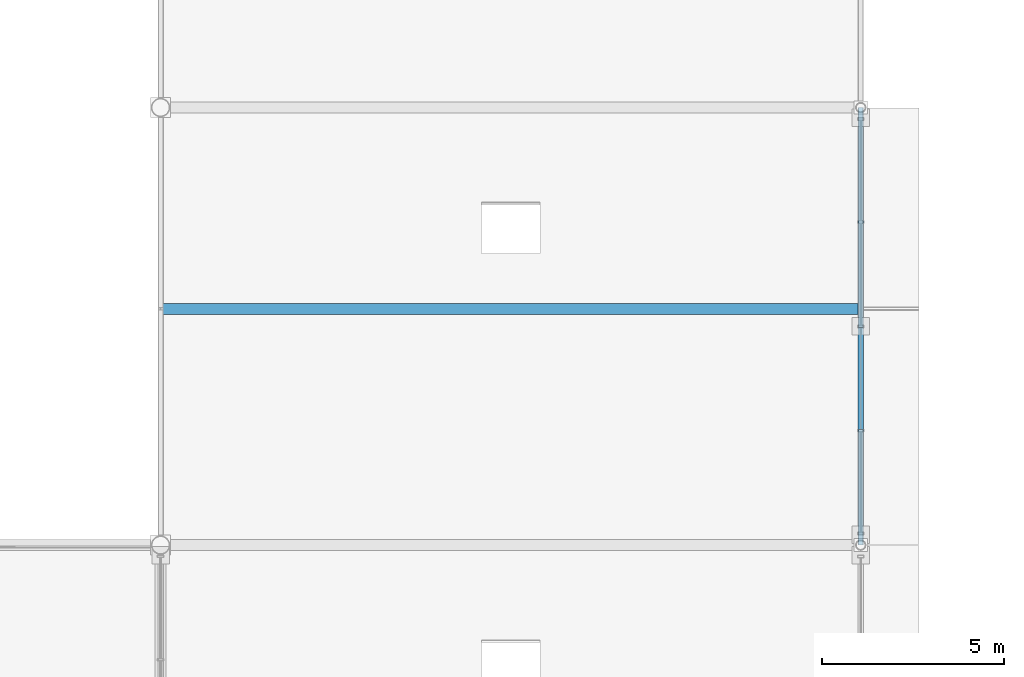
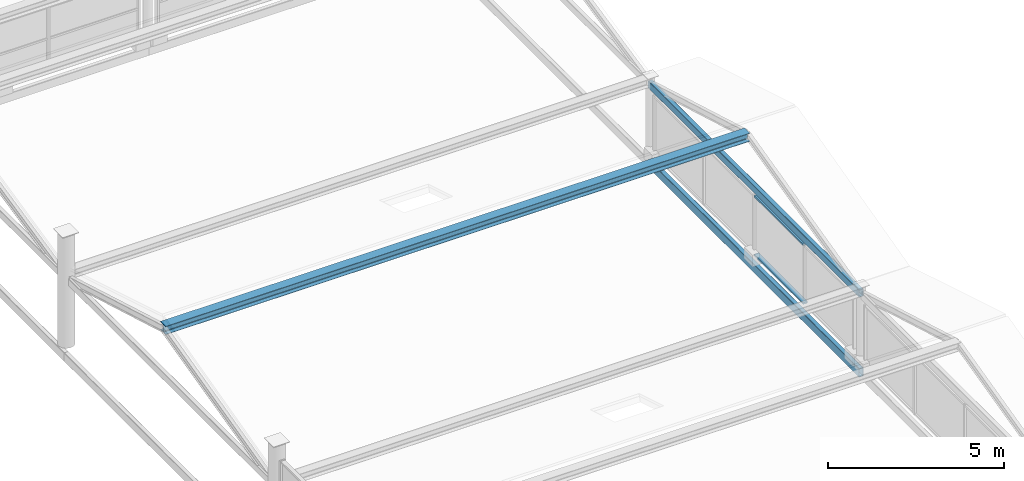
# One storey, part 68 of 117: 3 beams, 2 members, 1 element without a shape of its own.
"""IFC4 building model written with IfcOpenShell, lengths in metres."""

from ifc_helpers import new_model, si_unit, direction, frame, origin, origin_2d, place, context, subcontext, project, spatial, hollow_rectangle, i_section, extrude, material, material_profile, profile_set, type_object, element, aggregate, save


model = new_model("IFC4")

# Units and contexts
model_context = context("Model", 3, precision=1e-05, world=origin(), true_north=direction((0.0, 1.0)))
body_context = subcontext(model_context, "Body", "Model", "MODEL_VIEW")
ifc_project = project(units=[si_unit("LENGTHUNIT", "METRE"), si_unit("AREAUNIT", "SQUARE_METRE"), si_unit("VOLUMEUNIT", "CUBIC_METRE"), si_unit("PLANEANGLEUNIT", "RADIAN"), si_unit("MASSUNIT", "GRAM", prefix="KILO")], contexts=[model_context])

# Site, building, storey
site_placement = place(None, origin())
site = spatial("IfcSite", under=ifc_project, at=site_placement, CompositionType="ELEMENT")
building_placement = place(site_placement, origin())
building = spatial("IfcBuilding", under=site, at=building_placement, Name="Merenkruunu Market Hall", CompositionType="ELEMENT")
storey_placement = place(building_placement, frame((0.0, 0.0, 10.199951171875)))
storey = spatial("IfcBuildingStorey", under=building, at=storey_placement, Name="L02", CompositionType="ELEMENT", Elevation=10.199951171875)

# Curtain wall, members
ifc_material_1 = material(Name="Powder-coated aluminium", Category="aluminium")
curtain_wall_type = type_object("IfcCurtainWallType", Name="Clerestory Curtain Band CL02", PredefinedType="USERDEFINED", material=ifc_material_1)
curtain_wall_placement = place(storey_placement, origin())
curtain_wall = element("IfcCurtainWall", 1, at=curtain_wall_placement, inside=storey, type_object=curtain_wall_type, Name="CW-L02-CWM04-167", ObjectType="CLERESTORY_BAND", PredefinedType="USERDEFINED")
ifc_material_profile_1 = material_profile(ifc_material_1, hollow_rectangle(XDim=0.06005859375, YDim=0.14990234375, WallThickness=0.00390625, at=origin_2d()), Name="ALU 60x150x4")
ifc_profile_set_1 = profile_set([ifc_material_profile_1], Name="Powder-coated aluminium")
member_type = type_object("IfcMemberType", Name="Curtain Wall Transom CWT04", PredefinedType="USERDEFINED", material=ifc_profile_set_1)
member_1_placement = place(storey_placement, frame((76.800048828125, 81.56494140625, 0.030029296875), z_axis=(0.0, -1.0, 0.0), x_axis=(0.0, 0.0, 1.0)))
member_1 = element("IfcMember", 2, at=member_1_placement, type_object=member_type, Name="CL02 transom 3.1", ObjectType="TRANSOM", PredefinedType="USERDEFINED", context=body_context, shape_type="SweptSolid", body=[
    extrude(hollow_rectangle(XDim=0.06005859375, YDim=0.14990234375, WallThickness=0.00390625, at=origin_2d()), origin(), (0.0, 0.0, 1.0), 2.7900390625),
])
member_2_placement = place(storey_placement, frame((76.800048828125, 81.56494140625, 2.070068359375), z_axis=(0.0, -1.0, 0.0), x_axis=(0.0, 0.0, 1.0)))
member_2 = element("IfcMember", 3, at=member_2_placement, type_object=member_type, Name="CL02 transom 3.2", ObjectType="TRANSOM", PredefinedType="USERDEFINED", context=body_context, shape_type="SweptSolid", body=[
    extrude(hollow_rectangle(XDim=0.06005859375, YDim=0.14990234375, WallThickness=0.00390625, at=origin_2d()), origin(), (0.0, 0.0, 1.0), 2.7900390625),
])
aggregate(curtain_wall, [member_1, member_2])

# Beams
ifc_material_2 = material(Name="Steel S355J2", Category="steel")
ifc_material_profile_2 = material_profile(ifc_material_2, hollow_rectangle(XDim=0.14990234375, YDim=0.300048828125, WallThickness=0.012451171875, InnerFilletRadius=0.012451171875, OuterFilletRadius=0.02490234375, at=origin_2d()), Name="RHS 300x150x12.5")
ifc_profile_set_2 = profile_set([ifc_material_profile_2], Name="Steel S355J2")
beam_type_1 = type_object("IfcBeamType", Name="Perimeter Spandrel Beam SP03", PredefinedType="SPANDREL", material=ifc_profile_set_2)
beam_1_placement = place(storey_placement, frame((76.800048828125, 75.60009765625, -0.4599609375), z_axis=(0.0, 1.0, 0.0), x_axis=(-1.0, 0.0, 0.0)))
element("IfcBeam", 4, at=beam_1_placement, inside=storey, type_object=beam_type_1, Name="BM-L02-SP03-1230", PredefinedType="SPANDREL", context=body_context, shape_type="SweptSolid", body=[
    extrude(hollow_rectangle(XDim=0.14990234375, YDim=0.300048828125, WallThickness=0.012451171875, InnerFilletRadius=0.012451171875, OuterFilletRadius=0.02490234375, at=origin_2d()), origin(), (0.0, 0.0, 1.0), 12.0),
])
ifc_material_profile_3 = material_profile(ifc_material_2, hollow_rectangle(XDim=0.14990234375, YDim=0.25, WallThickness=0.010009765625, InnerFilletRadius=0.010009765625, OuterFilletRadius=0.02001953125, at=origin_2d()), Name="RHS 250x150x10")
ifc_profile_set_3 = profile_set([ifc_material_profile_3], Name="Steel S355J2")
beam_type_2 = type_object("IfcBeamType", Name="Perimeter Spandrel Beam SP04", PredefinedType="SPANDREL", material=ifc_profile_set_3)
beam_2_placement = place(storey_placement, frame((76.800048828125, 75.60009765625, 2.295166015625), z_axis=(0.0, 1.0, 0.0), x_axis=(-1.0, 0.0, 0.0)))
element("IfcBeam", 5, at=beam_2_placement, inside=storey, type_object=beam_type_2, Name="BM-L02-SP04-1287", PredefinedType="SPANDREL", context=body_context, shape_type="SweptSolid", body=[
    extrude(hollow_rectangle(XDim=0.14990234375, YDim=0.25, WallThickness=0.010009765625, InnerFilletRadius=0.010009765625, OuterFilletRadius=0.02001953125, at=origin_2d()), origin(), (0.0, 0.0, 1.0), 12.0),
])
ifc_material_profile_4 = material_profile(ifc_material_2, i_section(OverallWidth=0.300048828125, OverallDepth=0.2900390625, WebThickness=0.008544921875, FlangeThickness=0.013916015625, FilletRadius=0.027099609375, at=origin_2d()), Name="HEA 300")
ifc_profile_set_4 = profile_set([ifc_material_profile_4], Name="Steel S355J2")
beam_type_3 = type_object("IfcBeamType", Name="Primary Floor Girder B09", PredefinedType="BEAM", material=ifc_profile_set_4)
beam_3_placement = place(storey_placement, frame((57.60009765625, 82.080078125, 3.875), z_axis=(1.0, 0.0, 0.0), x_axis=(0.0, 1.0, 0.0)))
element("IfcBeam", 6, at=beam_3_placement, inside=storey, type_object=beam_type_3, Name="BM-L02-B09-1305", PredefinedType="BEAM", context=body_context, shape_type="SweptSolid", body=[
    extrude(i_section(OverallWidth=0.300048828125, OverallDepth=0.2900390625, WebThickness=0.008544921875, FlangeThickness=0.013916015625, FilletRadius=0.027099609375, at=origin_2d()), origin(), (0.0, 0.0, 1.0), 19.199951171875),
])

save(model, "model.ifc")
